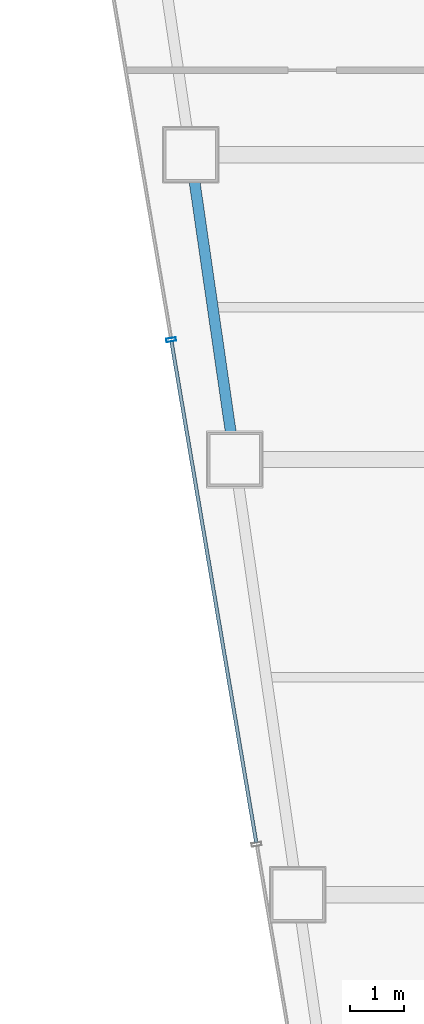
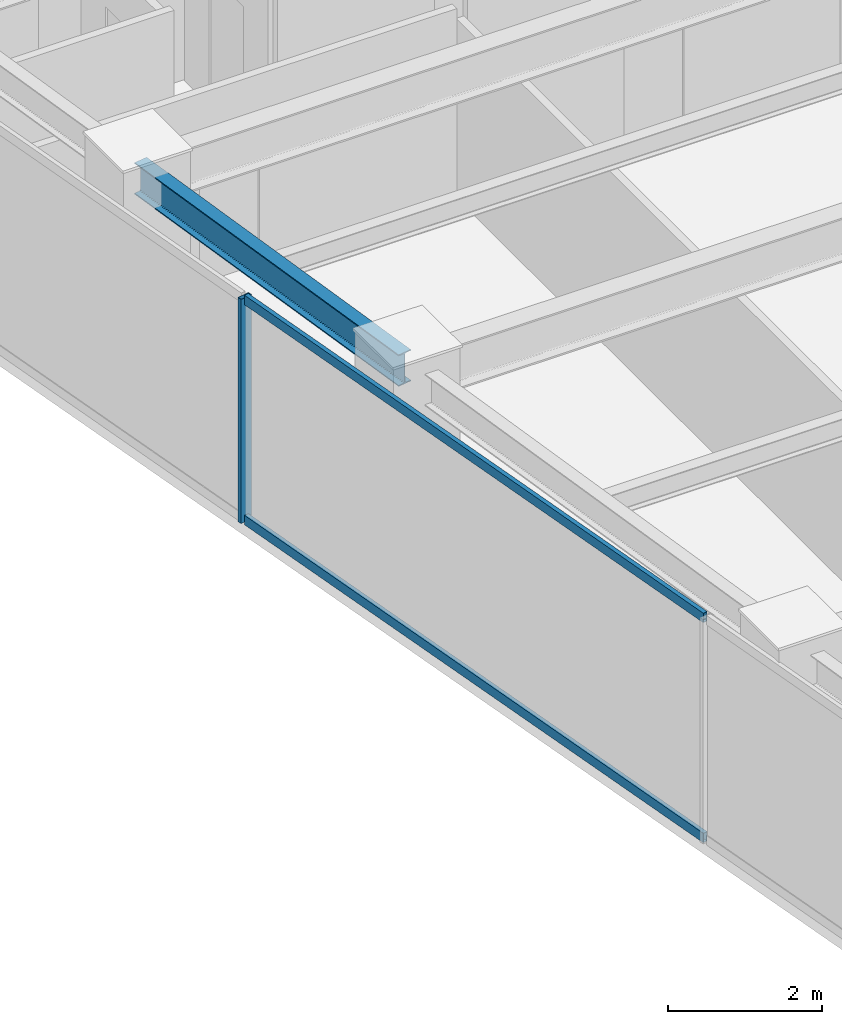
# One storey, part 8 of 35: 3 members, 1 beam, 1 element without a shape of its own.
"""IFC4 building model written with IfcOpenShell, lengths in metres."""

from ifc_helpers import new_model, si_unit, direction, frame, origin, origin_2d, place, context, subcontext, project, spatial, hollow_rectangle, i_section, extrude, material, material_profile, profile_set, type_object, element, aggregate, save


model = new_model("IFC4")

# Units and contexts
model_context = context("Model", 3, precision=1e-05, world=origin(), true_north=direction((0.0, 1.0)))
body_context = subcontext(model_context, "Body", "Model", "MODEL_VIEW")
ifc_project = project(units=[si_unit("LENGTHUNIT", "METRE"), si_unit("AREAUNIT", "SQUARE_METRE"), si_unit("VOLUMEUNIT", "CUBIC_METRE"), si_unit("PLANEANGLEUNIT", "RADIAN"), si_unit("MASSUNIT", "GRAM", prefix="KILO")], contexts=[model_context])

# Site, building, storey
site_placement = place(None, origin())
site = spatial("IfcSite", under=ifc_project, at=site_placement, CompositionType="ELEMENT")
building_placement = place(site_placement, origin())
building = spatial("IfcBuilding", under=site, at=building_placement, Name="Saevonmaru Cultural Tower", CompositionType="ELEMENT")
storey_placement = place(building_placement, frame((0.0, 0.0, 179.0)))
storey = spatial("IfcBuildingStorey", under=building, at=storey_placement, Name="L40", CompositionType="ELEMENT", Elevation=179.0)

# Beam
ifc_material_1 = material(Name="Steel SM355", Category="steel")
ifc_material_profile_1 = material_profile(ifc_material_1, i_section(OverallWidth=0.199951171875, OverallDepth=0.5, WebThickness=0.010009765625, FlangeThickness=0.01611328125, FilletRadius=0.02001953125, at=origin_2d()), Name="H-500x200x10x16")
ifc_profile_set_1 = profile_set([ifc_material_profile_1], Name="Steel SM355")
beam_type = type_object("IfcBeamType", Name="BM-SP-H500", PredefinedType="SPANDREL", material=ifc_profile_set_1)
beam_placement = place(storey_placement, frame((8.308349609375, 32.059326171875, 3.300048828125), z_axis=(-0.142964121327, 0.989727871697, 0.0), x_axis=(-0.989727871697, -0.142964121327, 0.0)))
element("IfcBeam", 1, at=beam_placement, inside=storey, type_object=beam_type, Name="L40 West Splayed Spandrel 3", PredefinedType="SPANDREL", context=body_context, shape_type="SweptSolid", body=[
    extrude(i_section(OverallWidth=0.199951171875, OverallDepth=0.5, WebThickness=0.010009765625, FlangeThickness=0.01611328125, FilletRadius=0.02001953125, at=origin_2d()), origin(), (0.0, 0.0, 1.0), 5.5380859375),
])

# Curtain wall, members
ifc_material_2 = material(Name="Satin Bronze Anodised Aluminium", Category="aluminium")
curtain_wall_type = type_object("IfcCurtainWallType", Name="CW-TYP-B", PredefinedType="NOTDEFINED", material=ifc_material_2)
curtain_wall_placement = place(storey_placement, origin())
curtain_wall = element("IfcCurtainWall", 2, at=curtain_wall_placement, inside=storey, type_object=curtain_wall_type, Name="L40 Unitised Curtain Wall E12", PredefinedType="NOTDEFINED")
ifc_material_profile_2 = material_profile(ifc_material_2, hollow_rectangle(XDim=0.06494140625, YDim=0.179931640625, WallThickness=0.00390625, at=origin_2d()), Name="ALU-MULL-180x65x4")
ifc_profile_set_2 = profile_set([ifc_material_profile_2], Name="Satin Bronze Anodised Aluminium")
member_type_1 = type_object("IfcMemberType", Name="ML-CW-180x65", PredefinedType="MULLION", material=ifc_profile_set_2)
member_1_placement = place(storey_placement, frame((7.14892578125, 34.199951171875, 0.0), z_axis=(0.0, 0.0, 1.0), x_axis=(0.16692169721, -0.985970155228, 0.0)))
member_1 = element("IfcMember", 3, at=member_1_placement, type_object=member_type_1, Name="CW-TW-L40-E12 mullion 3", PredefinedType="MULLION", context=body_context, shape_type="SweptSolid", body=[
    extrude(hollow_rectangle(XDim=0.06494140625, YDim=0.179931640625, WallThickness=0.00390625, at=origin_2d()), origin(), (0.0, 0.0, 1.0), 3.550048828125),
])
ifc_material_profile_3 = material_profile(ifc_material_2, hollow_rectangle(XDim=0.06494140625, YDim=0.14990234375, WallThickness=0.00390625, at=origin_2d()), Name="ALU-TRAN-150x65x4")
ifc_profile_set_3 = profile_set([ifc_material_profile_3], Name="Satin Bronze Anodised Aluminium")
member_type_2 = type_object("IfcMemberType", Name="TR-CW-150x65", PredefinedType="USERDEFINED", material=ifc_profile_set_3)
member_2_placement = place(storey_placement, frame((7.154296875, 34.16796875, 0.032470703125), z_axis=(0.166921263871, -0.985970228591, 0.0), x_axis=(0.985970228591, 0.166921263871, 0.0)))
member_2 = element("IfcMember", 4, at=member_2_placement, type_object=member_type_2, Name="CW-TW-L40-E12 transom 3.1", ObjectType="TRANSOM", PredefinedType="USERDEFINED", context=body_context, shape_type="SweptSolid", body=[
    extrude(hollow_rectangle(XDim=0.06494140625, YDim=0.14990234375, WallThickness=0.00390625, at=origin_2d()), origin(), (0.0, 0.0, 1.0), 9.33740234375),
])
member_3_placement = place(storey_placement, frame((7.154296875, 34.16796875, 3.517578125), z_axis=(0.166921263871, -0.985970228591, 0.0), x_axis=(0.985970228591, 0.166921263871, 0.0)))
member_3 = element("IfcMember", 5, at=member_3_placement, type_object=member_type_2, Name="CW-TW-L40-E12 transom 3.2", ObjectType="TRANSOM", PredefinedType="USERDEFINED", context=body_context, shape_type="SweptSolid", body=[
    extrude(hollow_rectangle(XDim=0.06494140625, YDim=0.14990234375, WallThickness=0.00390625, at=origin_2d()), origin(), (0.0, 0.0, 1.0), 9.33740234375),
])
aggregate(curtain_wall, [member_1, member_2, member_3])

save(model, "model.ifc")
